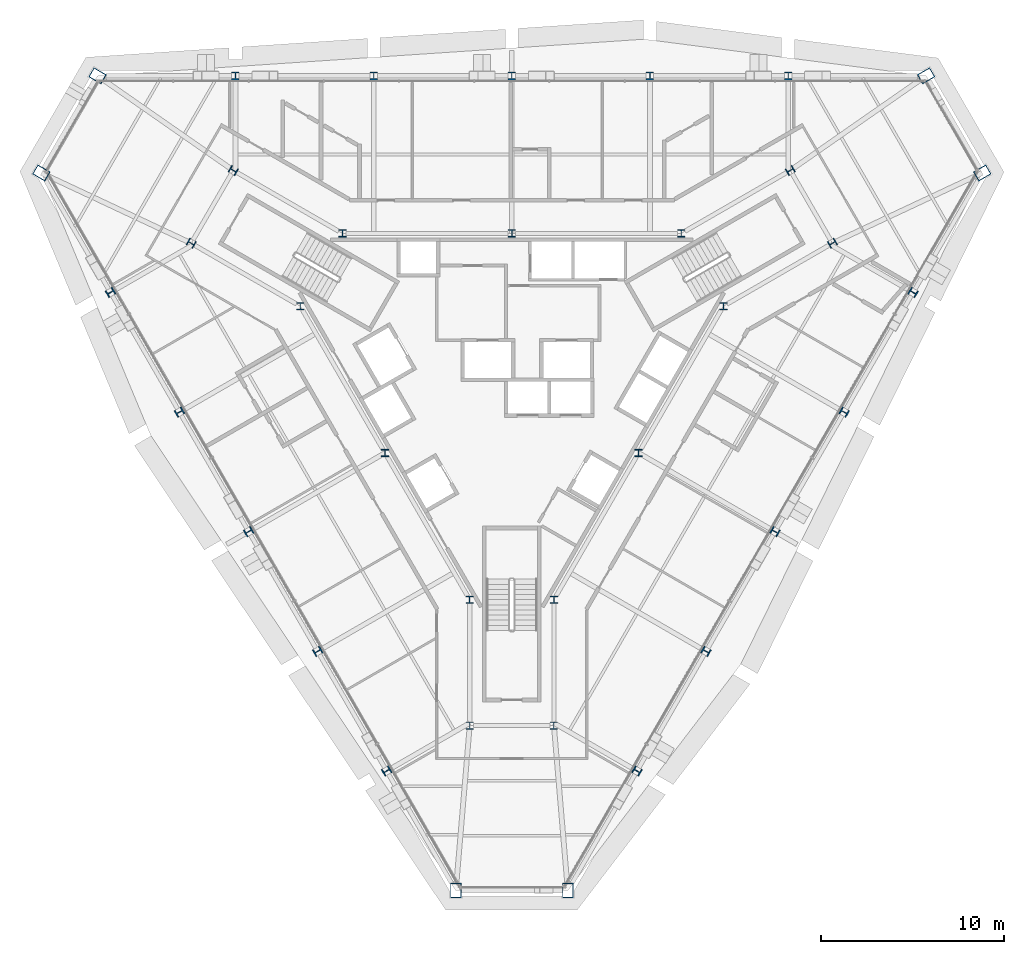
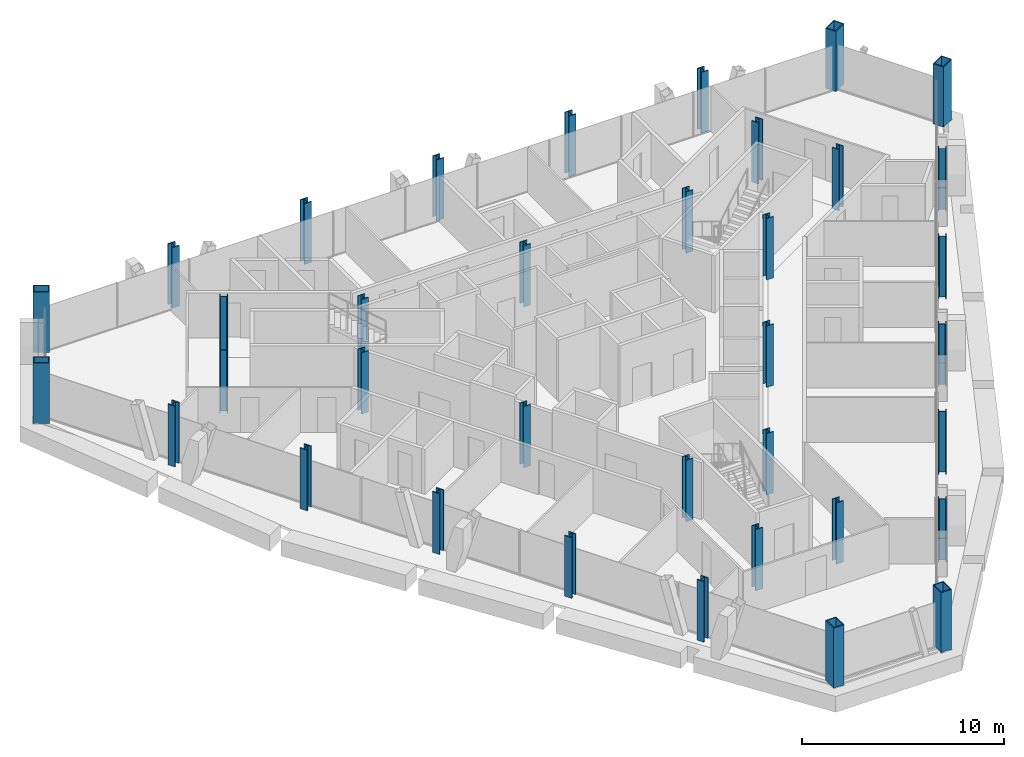
# One storey, part 1 of 13: 36 columns.
"""IFC4 building model written with IfcOpenShell, lengths in metres."""

from ifc_helpers import new_model, si_unit, direction, frame, origin, origin_2d, place, context, subcontext, project, spatial, hollow_rectangle, i_section, extrude, material, material_profile, profile_set, type_object, element, save


model = new_model("IFC4")

# Units and contexts
model_context = context("Model", 3, precision=1e-05, world=origin(), true_north=direction((0.0, 1.0)))
body_context = subcontext(model_context, "Body", "Model", "MODEL_VIEW")
ifc_project = project(units=[si_unit("LENGTHUNIT", "METRE"), si_unit("AREAUNIT", "SQUARE_METRE"), si_unit("VOLUMEUNIT", "CUBIC_METRE"), si_unit("PLANEANGLEUNIT", "RADIAN"), si_unit("MASSUNIT", "GRAM", prefix="KILO")], contexts=[model_context])

# Site, building, storey
site_placement = place(None, origin())
site = spatial("IfcSite", under=ifc_project, at=site_placement, CompositionType="ELEMENT")
building_placement = place(site_placement, origin())
building = spatial("IfcBuilding", under=site, at=building_placement, Name="Verrane Prism Tower", CompositionType="ELEMENT")
storey_placement = place(building_placement, frame((0.0, 0.0, 152.5)))
storey = spatial("IfcBuildingStorey", under=building, at=storey_placement, Name="L37", CompositionType="ELEMENT", Elevation=152.5)

# Columns
ifc_material_1 = material(Name="Steel A992", Category="steel")
ifc_material_profile_1 = material_profile(ifc_material_1, i_section(OverallWidth=0.406494140625, OverallDepth=0.41650390625, WebThickness=0.030029296875, FlangeThickness=0.048095703125, FilletRadius=0.01513671875, at=origin_2d()), Name="W14x257")
ifc_profile_set_1 = profile_set([ifc_material_profile_1], Name="Steel A992")
column_type_1 = type_object("IfcColumnType", Name="Core corner column W14x257", PredefinedType="COLUMN", material=ifc_profile_set_1)
for number, where, z_axis, x_axis, name in (
    (1, (17.52001953125, 7.4599609375, 0.0), (0.0, 0.0, 1.0), (0.5, -0.866025403784, 0.0), "Core corner column CK-NEm L37"),
    (2, (15.219970703125, 11.43994140625, 0.0), (0.0, 0.0, 1.0), (0.5, -0.866025403784, 0.0), "Core corner column CK-NEp L37"),
    (3, (-15.219970703125, 11.43994140625, 0.0), (0.0, 0.0, 1.0), (0.5, 0.866025403784, 0.0), "Core corner column CK-NWm L37"),
    (4, (-17.52001953125, 7.4599609375, 0.0), (0.0, 0.0, 1.0), (0.5, 0.866025403784, 0.0), "Core corner column CK-NWp L37"),
    (5, (-2.300048828125, -18.89990234375, 0.0), (0.0, 0.0, 1.0), (-1.0, 0.0, 0.0), "Core corner column CK-Sm L37"),
    (6, (2.300048828125, -18.89990234375, 0.0), (0.0, 0.0, 1.0), (-1.0, 0.0, 0.0), "Core corner column CK-Sp L37"),
):
    element("IfcColumn", number, at=place(storey_placement, frame(where, z_axis=z_axis, x_axis=x_axis)), inside=storey, type_object=column_type_1, Name=name, PredefinedType="COLUMN", context=body_context, shape_type="SweptSolid", body=[
        extrude(i_section(OverallWidth=0.406494140625, OverallDepth=0.41650390625, WebThickness=0.030029296875, FlangeThickness=0.048095703125, FilletRadius=0.01513671875, at=origin_2d()), origin(), (0.0, 0.0, 1.0), 3.699951171875),
    ])
ifc_material_2 = material(Name="Steel A992", Category="steel")
ifc_material_profile_2 = material_profile(ifc_material_2, i_section(OverallWidth=0.4013671875, OverallDepth=0.398681640625, WebThickness=0.02490234375, FlangeThickness=0.03955078125, FilletRadius=0.01513671875, at=origin_2d()), Name="W14x211")
ifc_profile_set_2 = profile_set([ifc_material_profile_2], Name="Steel A992")
column_type_2 = type_object("IfcColumnType", Name="Core side column W14x211", PredefinedType="COLUMN", material=ifc_profile_set_2)
for number, where, z_axis, x_axis, name in (
    (7, (11.56005859375, 4.02001953125, 0.0), (0.0, 0.0, 1.0), (1.0, 0.0, 0.0), "Core side column CC-NEm L37"),
    (8, (9.260009765625, 8.0, 0.0), (0.0, 0.0, 1.0), (1.0, 0.0, 0.0), "Core side column CC-NEp L37"),
    (9, (0.0, 8.0, 0.0), (0.0, 0.0, 1.0), (1.0, 0.0, 0.0), "Core side column CC-N0 L37"),
    (10, (-9.260009765625, 8.0, 0.0), (0.0, 0.0, 1.0), (1.0, 0.0, 0.0), "Core side column CC-NWm L37"),
    (11, (-11.56005859375, 4.02001953125, 0.0), (0.0, 0.0, 1.0), (1.0, 0.0, 0.0), "Core side column CC-NWp L37"),
    (12, (-6.929931640625, -4.0, 0.0), (0.0, 0.0, 1.0), (1.0, 0.0, 0.0), "Core side column CC-SW0 L37"),
    (13, (-2.300048828125, -12.02001953125, 0.0), (0.0, 0.0, 1.0), (1.0, 0.0, 0.0), "Core side column CC-Sm L37"),
    (14, (2.300048828125, -12.02001953125, 0.0), (0.0, 0.0, 1.0), (1.0, 0.0, 0.0), "Core side column CC-Sp L37"),
    (15, (6.929931640625, -4.0, 0.0), (0.0, 0.0, 1.0), (1.0, 0.0, 0.0), "Core side column CC-SE0 L37"),
):
    element("IfcColumn", number, at=place(storey_placement, frame(where, z_axis=z_axis, x_axis=x_axis)), inside=storey, type_object=column_type_2, Name=name, PredefinedType="COLUMN", context=body_context, shape_type="SweptSolid", body=[
        extrude(i_section(OverallWidth=0.4013671875, OverallDepth=0.398681640625, WebThickness=0.02490234375, FlangeThickness=0.03955078125, FilletRadius=0.01513671875, at=origin_2d()), origin(), (0.0, 0.0, 1.0), 3.699951171875),
    ])
ifc_material_3 = material(Name="Steel A572 Grade 50", Category="steel")
ifc_material_profile_3 = material_profile(ifc_material_3, hollow_rectangle(XDim=0.60009765625, YDim=0.800048828125, WallThickness=0.050048828125, at=origin_2d()), Name="BOX 800x600x50")
ifc_profile_set_3 = profile_set([ifc_material_profile_3], Name="Steel A572 Grade 50")
column_type_3 = type_object("IfcColumnType", Name="Megacolumn BOX 800x600x50", PredefinedType="COLUMN", material=ifc_profile_set_3)
for number, where, z_axis, x_axis, name in (
    (16, (22.639892578125, 16.610107421875, 0.0), (0.0, 0.0, 1.0), (0.5, -0.866025403784, 0.0), "Megacolumn MC-NE.b L37"),
    (17, (-22.639892578125, 16.610107421875, 0.0), (0.0, 0.0, 1.0), (0.5, 0.866025403784, 0.0), "Megacolumn MC-NW.a L37"),
    (18, (-25.7099609375, 11.300048828125, 0.0), (0.0, 0.0, 1.0), (0.5, 0.866025403784, 0.0), "Megacolumn MC-NW.b L37"),
    (19, (-3.06005859375, -27.909912109375, 0.0), (0.0, 0.0, 1.0), (-1.0, 0.0, 0.0), "Megacolumn MC-S.a L37"),
    (20, (3.06005859375, -27.909912109375, 0.0), (0.0, 0.0, 1.0), (-1.0, 0.0, 0.0), "Megacolumn MC-S.b L37"),
    (21, (25.7099609375, 11.300048828125, 0.0), (0.0, 0.0, 1.0), (0.5, -0.866025403784, 0.0), "Megacolumn MC-NE.a L37"),
):
    element("IfcColumn", number, at=place(storey_placement, frame(where, z_axis=z_axis, x_axis=x_axis)), inside=storey, type_object=column_type_3, Name=name, PredefinedType="COLUMN", context=body_context, shape_type="SweptSolid", body=[
        extrude(hollow_rectangle(XDim=0.60009765625, YDim=0.800048828125, WallThickness=0.050048828125, at=origin_2d()), origin(), (0.0, 0.0, 1.0), 3.635009765625),
    ])
ifc_material_4 = material(Name="Steel A992", Category="steel")
ifc_material_profile_4 = material_profile(ifc_material_4, i_section(OverallWidth=0.411376953125, OverallDepth=0.434326171875, WebThickness=0.035888671875, FlangeThickness=0.057373046875, FilletRadius=0.01513671875, at=origin_2d()), Name="W14x311")
ifc_profile_set_4 = profile_set([ifc_material_profile_4], Name="Steel A992")
column_type_4 = type_object("IfcColumnType", Name="Perimeter column W14x311", PredefinedType="COLUMN", material=ifc_profile_set_4)
column_1_placement = place(storey_placement, frame((15.10009765625, 16.610107421875, 0.0), z_axis=(0.0, 0.0, 1.0), x_axis=(1.0, 0.0, 0.0)))
element("IfcColumn", 22, at=column_1_placement, inside=storey, type_object=column_type_4, Name="Perimeter column PC-N1 L37", PredefinedType="COLUMN", context=body_context, shape_type="SweptSolid", body=[
    extrude(i_section(OverallWidth=0.411376953125, OverallDepth=0.434326171875, WebThickness=0.035888671875, FlangeThickness=0.057373046875, FilletRadius=0.01513671875, at=origin_2d()), origin(), (0.0, 0.0, 1.0), 3.659912109375),
])
for number, where, z_axis, x_axis, name in (
    (23, (7.550048828125, 16.610107421875, 0.0), (0.0, 0.0, 1.0), (1.0, 0.0, 0.0), "Perimeter column PC-N2 L37"),
    (24, (0.0, 16.610107421875, 0.0), (0.0, 0.0, 1.0), (1.0, 0.0, 0.0), "Perimeter column PC-N3 L37"),
    (25, (-7.550048828125, 16.610107421875, 0.0), (0.0, 0.0, 1.0), (1.0, 0.0, 0.0), "Perimeter column PC-N4 L37"),
):
    element("IfcColumn", number, at=place(storey_placement, frame(where, z_axis=z_axis, x_axis=x_axis)), inside=storey, type_object=column_type_4, Name=name, PredefinedType="COLUMN", context=body_context, shape_type="SweptSolid", body=[
        extrude(i_section(OverallWidth=0.411376953125, OverallDepth=0.434326171875, WebThickness=0.035888671875, FlangeThickness=0.057373046875, FilletRadius=0.01513671875, at=origin_2d()), origin(), (0.0, 0.0, 1.0), 3.6650390625),
    ])
for number, where, z_axis, x_axis, name in (
    (26, (-15.10009765625, 16.610107421875, 0.0), (0.0, 0.0, 1.0), (1.0, 0.0, 0.0), "Perimeter column PC-N5 L37"),
    (27, (-21.929931640625, 4.77001953125, 0.0), (0.0, 0.0, 1.0), (-0.5, 0.866025403784, 0.0), "Perimeter column PC-SW1 L37"),
):
    element("IfcColumn", number, at=place(storey_placement, frame(where, z_axis=z_axis, x_axis=x_axis)), inside=storey, type_object=column_type_4, Name=name, PredefinedType="COLUMN", context=body_context, shape_type="SweptSolid", body=[
        extrude(i_section(OverallWidth=0.411376953125, OverallDepth=0.434326171875, WebThickness=0.035888671875, FlangeThickness=0.057373046875, FilletRadius=0.01513671875, at=origin_2d()), origin(), (0.0, 0.0, 1.0), 3.659912109375),
    ])
for number, where, z_axis, x_axis, name in (
    (28, (-18.159912109375, -1.77001953125, 0.0), (0.0, 0.0, 1.0), (-0.5, 0.866025403784, 0.0), "Perimeter column PC-SW2 L37"),
    (29, (-14.3798828125, -8.300048828125, 0.0), (0.0, 0.0, 1.0), (-0.5, 0.866025403784, 0.0), "Perimeter column PC-SW3 L37"),
    (30, (-10.610107421875, -14.840087890625, 0.0), (0.0, 0.0, 1.0), (-0.5, 0.866025403784, 0.0), "Perimeter column PC-SW4 L37"),
):
    element("IfcColumn", number, at=place(storey_placement, frame(where, z_axis=z_axis, x_axis=x_axis)), inside=storey, type_object=column_type_4, Name=name, PredefinedType="COLUMN", context=body_context, shape_type="SweptSolid", body=[
        extrude(i_section(OverallWidth=0.411376953125, OverallDepth=0.434326171875, WebThickness=0.035888671875, FlangeThickness=0.057373046875, FilletRadius=0.01513671875, at=origin_2d()), origin(), (0.0, 0.0, 1.0), 3.6650390625),
    ])
for number, where, z_axis, x_axis, name in (
    (31, (-6.840087890625, -21.3798828125, 0.0), (0.0, 0.0, 1.0), (-0.5, 0.866025403784, 0.0), "Perimeter column PC-SW5 L37"),
    (32, (6.840087890625, -21.3798828125, 0.0), (0.0, 0.0, 1.0), (-0.5, -0.866025403784, 0.0), "Perimeter column PC-SE1 L37"),
):
    element("IfcColumn", number, at=place(storey_placement, frame(where, z_axis=z_axis, x_axis=x_axis)), inside=storey, type_object=column_type_4, Name=name, PredefinedType="COLUMN", context=body_context, shape_type="SweptSolid", body=[
        extrude(i_section(OverallWidth=0.411376953125, OverallDepth=0.434326171875, WebThickness=0.035888671875, FlangeThickness=0.057373046875, FilletRadius=0.01513671875, at=origin_2d()), origin(), (0.0, 0.0, 1.0), 3.659912109375),
    ])
for number, where, z_axis, x_axis, name in (
    (33, (10.610107421875, -14.840087890625, 0.0), (0.0, 0.0, 1.0), (-0.5, -0.866025403784, 0.0), "Perimeter column PC-SE2 L37"),
    (34, (14.3798828125, -8.300048828125, 0.0), (0.0, 0.0, 1.0), (-0.5, -0.866025403784, 0.0), "Perimeter column PC-SE3 L37"),
    (35, (18.159912109375, -1.77001953125, 0.0), (0.0, 0.0, 1.0), (-0.5, -0.866025403784, 0.0), "Perimeter column PC-SE4 L37"),
):
    element("IfcColumn", number, at=place(storey_placement, frame(where, z_axis=z_axis, x_axis=x_axis)), inside=storey, type_object=column_type_4, Name=name, PredefinedType="COLUMN", context=body_context, shape_type="SweptSolid", body=[
        extrude(i_section(OverallWidth=0.411376953125, OverallDepth=0.434326171875, WebThickness=0.035888671875, FlangeThickness=0.057373046875, FilletRadius=0.01513671875, at=origin_2d()), origin(), (0.0, 0.0, 1.0), 3.6650390625),
    ])
column_2_placement = place(storey_placement, frame((21.929931640625, 4.77001953125, 0.0), z_axis=(0.0, 0.0, 1.0), x_axis=(-0.5, -0.866025403784, 0.0)))
element("IfcColumn", 36, at=column_2_placement, inside=storey, type_object=column_type_4, Name="Perimeter column PC-SE5 L37", PredefinedType="COLUMN", context=body_context, shape_type="SweptSolid", body=[
    extrude(i_section(OverallWidth=0.411376953125, OverallDepth=0.434326171875, WebThickness=0.035888671875, FlangeThickness=0.057373046875, FilletRadius=0.01513671875, at=origin_2d()), origin(), (0.0, 0.0, 1.0), 3.659912109375),
])

save(model, "model.ifc")
